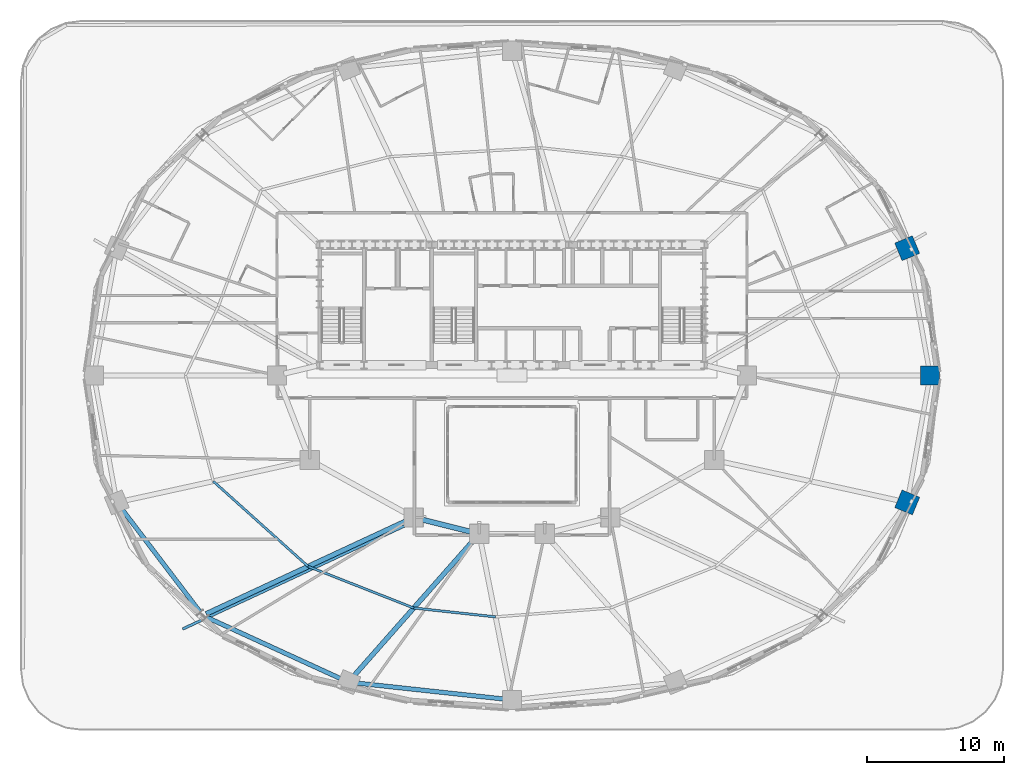
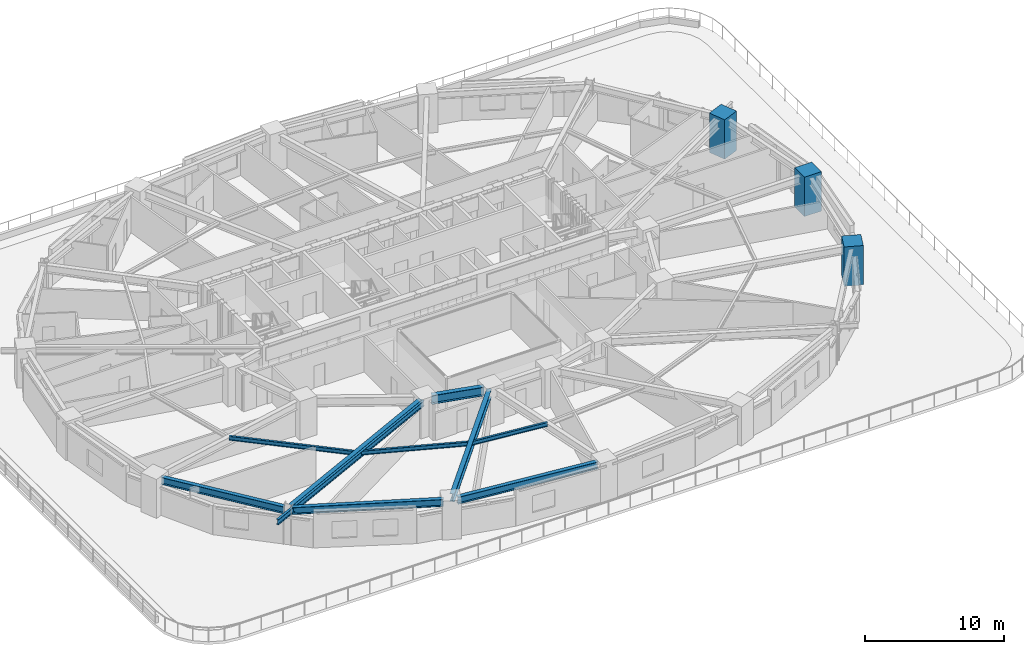
# One storey, part 2 of 18: 10 beams, 3 columns.
"""IFC4 building model written with IfcOpenShell, lengths in metres."""

from ifc_helpers import new_model, si_unit, direction, frame, origin, origin_2d, place, context, subcontext, project, spatial, rectangle, i_section, extrude, material, material_profile, profile_set, type_object, element, save


model = new_model("IFC4")

# Units and contexts
model_context = context("Model", 3, precision=1e-05, world=origin(), true_north=direction((0.0, 1.0)))
body_context = subcontext(model_context, "Body", "Model", "MODEL_VIEW")
ifc_project = project(units=[si_unit("LENGTHUNIT", "METRE"), si_unit("AREAUNIT", "SQUARE_METRE"), si_unit("VOLUMEUNIT", "CUBIC_METRE"), si_unit("PLANEANGLEUNIT", "RADIAN"), si_unit("MASSUNIT", "GRAM", prefix="KILO")], contexts=[model_context])

# Site, building, storey
site_placement = place(None, origin())
site = spatial("IfcSite", under=ifc_project, at=site_placement, CompositionType="ELEMENT")
building_placement = place(site_placement, origin())
building = spatial("IfcBuilding", under=site, at=building_placement, Name="Haldorwick Loom Tower", CompositionType="ELEMENT")
storey_placement = place(building_placement, frame((0.0, 0.0, 24.0)))
storey = spatial("IfcBuildingStorey", under=building, at=storey_placement, Name="L05", CompositionType="ELEMENT", Elevation=24.0)

# Columns
ifc_material_1 = material(Name="Concrete C60 (60 MPa)", Category="concrete")
ifc_material_profile_1 = material_profile(ifc_material_1, rectangle(XDim=1.39990234375, YDim=1.39990234375, at=origin_2d()), Name="RC1400X1400", Category="concrete")
ifc_profile_set_1 = profile_set([ifc_material_profile_1], Name="Concrete C60 (60 MPa)")
column_type = type_object("IfcColumnType", Name="STR-COL-RC1400", PredefinedType="PILASTER", material=ifc_profile_set_1)
for number, where, z_axis, x_axis, name in (
    (1, (66.595947265625, 26.0, 0.0), (0.0, 0.0, 1.0), (1.0, 0.0, 0.0), "L05 Perimeter Pier Column P01"),
    (2, (64.91748046875, 35.29931640625, 0.0), (0.0, 0.0, 1.0), (0.923879532511, 0.382683432365, 0.0), "L05 Perimeter Pier Column P02"),
    (3, (64.91748046875, 16.70068359375, 0.0), (0.0, 0.0, 1.0), (0.923879532511, -0.382683432365, 0.0), "L05 Perimeter Pier Column P16"),
):
    element("IfcColumn", number, at=place(storey_placement, frame(where, z_axis=z_axis, x_axis=x_axis)), inside=storey, type_object=column_type, Name=name, PredefinedType="PILASTER", context=body_context, shape_type="SweptSolid", body=[
        extrude(rectangle(XDim=1.39990234375, YDim=1.39990234375, at=origin_2d()), origin(), (0.0, 0.0, 1.0), 3.449951171875),
    ])

# Beams
ifc_material_2 = material(Name="Steel CSA G40.21 350W", Category="steel")
ifc_material_profile_2 = material_profile(ifc_material_2, i_section(OverallWidth=0.193115234375, OverallDepth=0.466064453125, WebThickness=0.011474609375, FlangeThickness=0.01904296875, at=origin_2d()), Name="W460X97", Category="steel")
ifc_profile_set_2 = profile_set([ifc_material_profile_2], Name="Steel CSA G40.21 350W")
beam_type_1 = type_object("IfcBeamType", Name="STR-BM-BAL460", PredefinedType="BEAM", material=ifc_profile_set_2)
beam_1_placement = place(storey_placement, frame((28.446533203125, 15.126953125, 2.97705078125), z_axis=(-0.906840784049, -0.421473359047, 0.0), x_axis=(0.421473359047, -0.906840784049, 0.0)))
element("IfcBeam", 4, at=beam_1_placement, inside=storey, type_object=beam_type_1, Name="L05 Continuous Back-Spanned Balcony Beam 2", PredefinedType="BEAM", context=body_context, shape_type="SweptSolid", body=[
    extrude(i_section(OverallWidth=0.193115234375, OverallDepth=0.466064453125, WebThickness=0.011474609375, FlangeThickness=0.01904296875, at=origin_2d()), origin(), (0.0, 0.0, 1.0), 18.245361328125),
])
ifc_material_profile_3 = material_profile(ifc_material_2, i_section(OverallWidth=0.172119140625, OverallDepth=0.35791015625, WebThickness=0.0078125, FlangeThickness=0.01318359375, at=origin_2d()), Name="W360X57", Category="steel")
ifc_profile_set_3 = profile_set([ifc_material_profile_3], Name="Steel CSA G40.21 350W")
beam_type_2 = type_object("IfcBeamType", Name="STR-BM-J360", PredefinedType="JOIST", material=ifc_profile_set_3)
beam_2_placement = place(storey_placement, frame((14.141357421875, 18.25048828125, 3.031005859375), z_axis=(0.743981830112, -0.668199847698, 0.0), x_axis=(0.668199847698, 0.743981830112, 0.0)))
element("IfcBeam", 5, at=beam_2_placement, inside=storey, type_object=beam_type_2, Name="L05 Mid-Bay Secondary Joist 10", PredefinedType="JOIST", context=body_context, shape_type="SweptSolid", body=[
    extrude(i_section(OverallWidth=0.172119140625, OverallDepth=0.35791015625, WebThickness=0.0078125, FlangeThickness=0.01318359375, at=origin_2d()), origin(), (0.0, 0.0, 1.0), 9.3330078125),
])
beam_3_placement = place(storey_placement, frame((21.0849609375, 12.01416015625, 3.031005859375), z_axis=(0.930584838237, -0.366076301941, 0.0), x_axis=(0.366076301941, 0.930584838237, 0.0)))
element("IfcBeam", 6, at=beam_3_placement, inside=storey, type_object=beam_type_2, Name="L05 Mid-Bay Secondary Joist 11", PredefinedType="JOIST", context=body_context, shape_type="SweptSolid", body=[
    extrude(i_section(OverallWidth=0.172119140625, OverallDepth=0.35791015625, WebThickness=0.0078125, FlangeThickness=0.01318359375, at=origin_2d()), origin(), (0.0, 0.0, 1.0), 8.302490234375),
])
beam_4_placement = place(storey_placement, frame((28.81103515625, 8.974853515625, 3.031005859375), z_axis=(0.994163660215, -0.107882420753, 0.0), x_axis=(0.107882420753, 0.994163660215, 0.0)))
element("IfcBeam", 7, at=beam_4_placement, inside=storey, type_object=beam_type_2, Name="L05 Mid-Bay Secondary Joist 12", PredefinedType="JOIST", context=body_context, shape_type="SweptSolid", body=[
    extrude(i_section(OverallWidth=0.172119140625, OverallDepth=0.35791015625, WebThickness=0.0078125, FlangeThickness=0.01318359375, at=origin_2d()), origin(), (0.0, 0.0, 1.0), 6.024169921875),
])
ifc_material_profile_4 = material_profile(ifc_material_2, i_section(OverallWidth=0.324951171875, OverallDepth=0.615966796875, WebThickness=0.013916015625, FlangeThickness=0.021484375, at=origin_2d()), Name="W610X174", Category="steel")
ifc_profile_set_4 = profile_set([ifc_material_profile_4], Name="Steel CSA G40.21 350W")
beam_type_3 = type_object("IfcBeamType", Name="STR-BM-SP610", PredefinedType="SPANDREL", material=ifc_profile_set_4)
beam_5_placement = place(storey_placement, frame((7.397216796875, 16.286865234375, 2.902099609375), z_axis=(0.605084557744, -0.796161213562, 0.0), x_axis=(0.796161213562, 0.605084557744, 0.0)))
element("IfcBeam", 8, at=beam_5_placement, inside=storey, type_object=beam_type_3, Name="L05 Perimeter Spandrel 10", PredefinedType="SPANDREL", context=body_context, shape_type="SweptSolid", body=[
    extrude(i_section(OverallWidth=0.324951171875, OverallDepth=0.615966796875, WebThickness=0.013916015625, FlangeThickness=0.021484375, at=origin_2d()), origin(), (0.0, 0.0, 1.0), 9.595703125),
])
beam_6_placement = place(storey_placement, frame((13.619873046875, 8.31396484375, 2.902099609375), z_axis=(0.909173805321, -0.416416848504, 0.0), x_axis=(0.416416848504, 0.909173805321, 0.0)))
element("IfcBeam", 9, at=beam_6_placement, inside=storey, type_object=beam_type_3, Name="L05 Perimeter Spandrel 11", PredefinedType="SPANDREL", context=body_context, shape_type="SweptSolid", body=[
    extrude(i_section(OverallWidth=0.324951171875, OverallDepth=0.615966796875, WebThickness=0.013916015625, FlangeThickness=0.021484375, at=origin_2d()), origin(), (0.0, 0.0, 1.0), 10.92138671875),
])
beam_7_placement = place(storey_placement, frame((24.5390625, 3.49365234375, 2.902099609375), z_axis=(0.994164438636, -0.107875247167, 0.0), x_axis=(0.107875247167, 0.994164438636, 0.0)))
element("IfcBeam", 10, at=beam_7_placement, inside=storey, type_object=beam_type_3, Name="L05 Perimeter Spandrel 12", PredefinedType="SPANDREL", context=body_context, shape_type="SweptSolid", body=[
    extrude(i_section(OverallWidth=0.324951171875, OverallDepth=0.615966796875, WebThickness=0.013916015625, FlangeThickness=0.021484375, at=origin_2d()), origin(), (0.0, 0.0, 1.0), 11.008056640625),
])
ifc_material_profile_5 = material_profile(ifc_material_2, i_section(OverallWidth=0.35498046875, OverallDepth=0.695068359375, WebThickness=0.015380859375, FlangeThickness=0.02490234375, at=origin_2d()), Name="W690X217", Category="steel")
ifc_profile_set_5 = profile_set([ifc_material_profile_5], Name="Steel CSA G40.21 350W")
beam_type_4 = type_object("IfcBeamType", Name="STR-BM-W690", PredefinedType="BEAM", material=ifc_profile_set_5)
beam_8_placement = place(storey_placement, frame((28.328369140625, 15.380859375, 2.862548828125), z_axis=(-0.90683498532, -0.421485835349, 0.0), x_axis=(0.421485835349, -0.90683498532, 0.0)))
element("IfcBeam", 11, at=beam_8_placement, inside=storey, type_object=beam_type_4, Name="L05 Radial Floor Girder 11", PredefinedType="BEAM", context=body_context, shape_type="SweptSolid", body=[
    extrude(i_section(OverallWidth=0.35498046875, OverallDepth=0.695068359375, WebThickness=0.015380859375, FlangeThickness=0.02490234375, at=origin_2d()), origin(), (0.0, 0.0, 1.0), 16.220458984375),
])
beam_9_placement = place(storey_placement, frame((33.255859375, 14.01025390625, 2.862548828125), z_axis=(-0.661774304332, -0.749703121326, 0.0), x_axis=(0.749703121326, -0.661774304332, 0.0)))
element("IfcBeam", 12, at=beam_9_placement, inside=storey, type_object=beam_type_4, Name="L05 Radial Floor Girder 12", PredefinedType="BEAM", context=body_context, shape_type="SweptSolid", body=[
    extrude(i_section(OverallWidth=0.35498046875, OverallDepth=0.695068359375, WebThickness=0.015380859375, FlangeThickness=0.02490234375, at=origin_2d()), origin(), (0.0, 0.0, 1.0), 13.43310546875),
])
ifc_material_profile_6 = material_profile(ifc_material_2, i_section(OverallWidth=0.381103515625, OverallDepth=0.77294921875, WebThickness=0.0166015625, FlangeThickness=0.027587890625, at=origin_2d()), Name="W760X257", Category="steel")
ifc_profile_set_6 = profile_set([ifc_material_profile_6], Name="Steel CSA G40.21 350W")
beam_type_5 = type_object("IfcBeamType", Name="STR-BM-W760", PredefinedType="BEAM", material=ifc_profile_set_6)
beam_10_placement = place(storey_placement, frame((33.095458984375, 14.526123046875, 2.823486328125), z_axis=(-0.970142500145, 0.242535625036, 0.0), x_axis=(-0.242535625036, -0.970142500145, 0.0)))
element("IfcBeam", 13, at=beam_10_placement, inside=storey, type_object=beam_type_5, Name="L05 Inner Ring Girder 6", PredefinedType="BEAM", context=body_context, shape_type="SweptSolid", body=[
    extrude(i_section(OverallWidth=0.381103515625, OverallDepth=0.77294921875, WebThickness=0.0166015625, FlangeThickness=0.027587890625, at=origin_2d()), origin(), (0.0, 0.0, 1.0), 3.90771484375),
])

save(model, "model.ifc")
